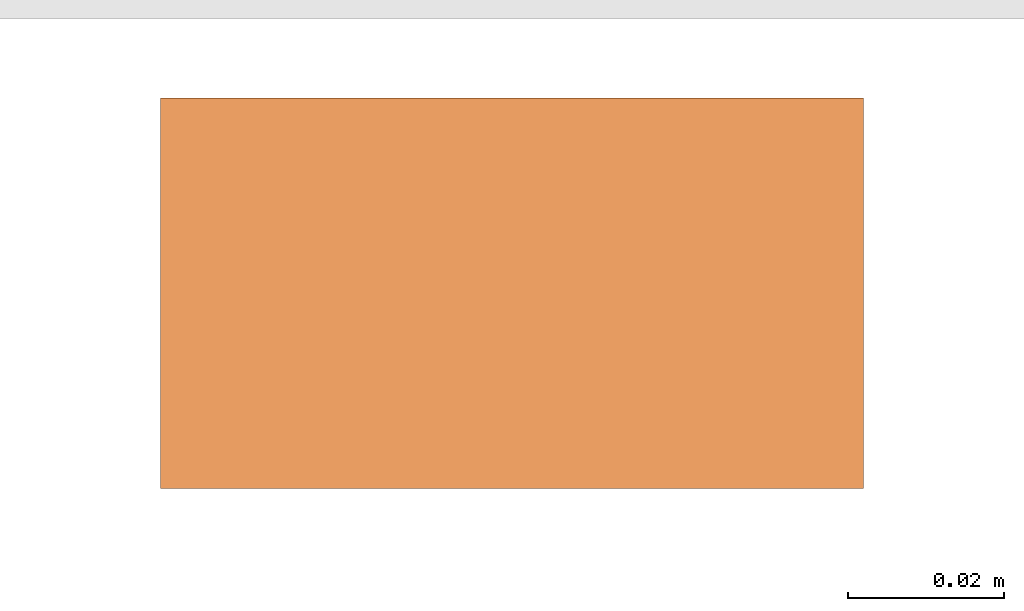
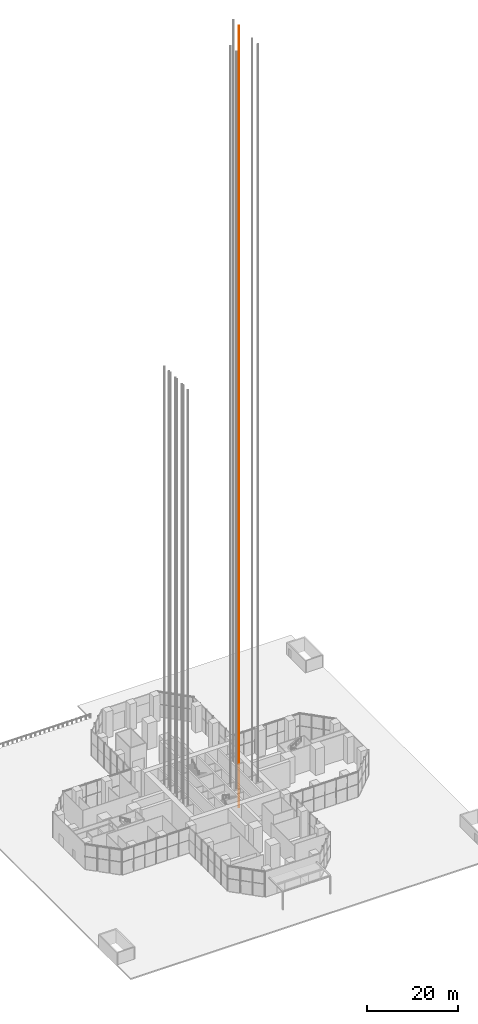
# One storey, part 42 of 43: 1 proxy.
"""IFC4 building model written with IfcOpenShell, lengths in metres."""

from ifc_helpers import new_model, si_unit, direction, frame, origin, origin_2d, place, context, subcontext, project, spatial, rectangle, extrude, material, element, save


model = new_model("IFC4")

# Units and contexts
model_context = context("Model", 3, precision=1e-05, world=origin(), true_north=direction((0.0, 1.0)))
body_context = subcontext(model_context, "Body", "Model", "MODEL_VIEW")
ifc_project = project(units=[si_unit("LENGTHUNIT", "METRE"), si_unit("AREAUNIT", "SQUARE_METRE"), si_unit("VOLUMEUNIT", "CUBIC_METRE"), si_unit("PLANEANGLEUNIT", "RADIAN"), si_unit("MASSUNIT", "GRAM", prefix="KILO")], contexts=[model_context])

# Site, building, storey
site_placement = place(None, origin())
site = spatial("IfcSite", under=ifc_project, at=site_placement, CompositionType="ELEMENT")
building_placement = place(site_placement, origin())
building = spatial("IfcBuilding", under=site, at=building_placement, Name="Mizan Broadcast Tower", CompositionType="ELEMENT")
storey_placement = place(building_placement, origin())
storey = spatial("IfcBuildingStorey", under=building, at=storey_placement, Name="L00", CompositionType="ELEMENT", Elevation=0.0)

# Proxy
ifc_material = material(Name="Steel guide rail", Category="steel")
proxy_placement = place(storey_placement, frame((8.800048828125, 2.93994140625, -5.0), z_axis=(0.0, 0.0, 1.0), x_axis=(1.0, 0.0, 0.0)))
element("IfcBuildingElementProxy", 1, at=proxy_placement, inside=storey, material=ifc_material, Name="Guide rail SH1-1", PredefinedType="NOTDEFINED", context=body_context, shape_type="SweptSolid", body=[
    extrude(rectangle(XDim=0.090087890625, YDim=0.050048828125, at=origin_2d()), origin(), (0.0, 0.0, 1.0), 209.719970703125),
])

save(model, "model.ifc")
